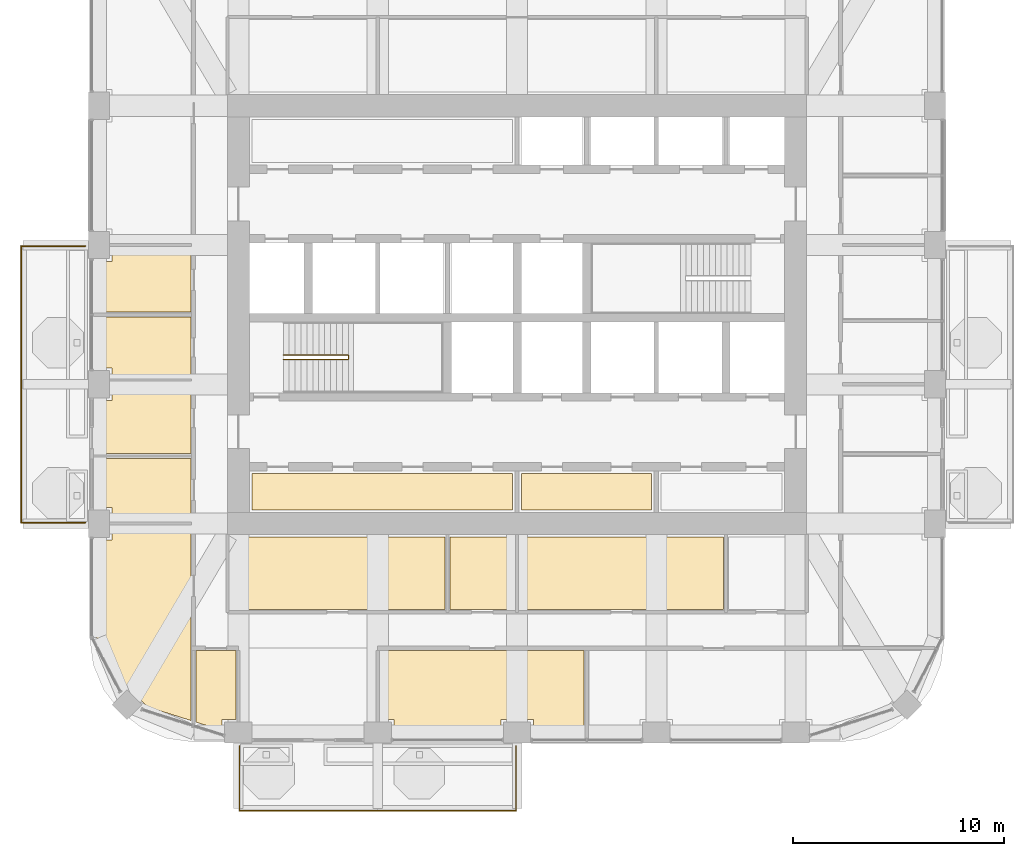
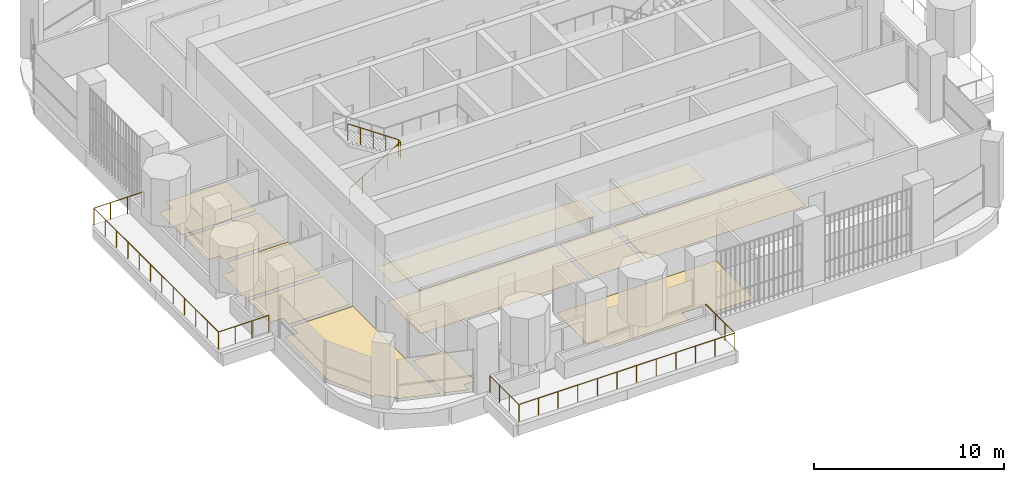
# One storey, part 16 of 20: 12 coverings, 3 railings.
"""IFC4 building model written with IfcOpenShell, lengths in metres."""

from ifc_helpers import new_model, si_unit, direction, frame, origin, place, context, subcontext, project, spatial, polyline, outline, extrude, material, layer, layer_set, type_object, element, save


model = new_model("IFC4")

# Units and contexts
model_context = context("Model", 3, precision=1e-05, world=origin(), true_north=direction((0.0, 1.0)))
body_context = subcontext(model_context, "Body", "Model", "MODEL_VIEW")
ifc_project = project(units=[si_unit("LENGTHUNIT", "METRE"), si_unit("AREAUNIT", "SQUARE_METRE"), si_unit("VOLUMEUNIT", "CUBIC_METRE"), si_unit("PLANEANGLEUNIT", "RADIAN"), si_unit("MASSUNIT", "GRAM", prefix="KILO")], contexts=[model_context])

# Site, building, storey
site_placement = place(None, origin())
site = spatial("IfcSite", under=ifc_project, at=site_placement, CompositionType="ELEMENT")
building_placement = place(site_placement, origin())
building = spatial("IfcBuilding", under=site, at=building_placement, Name="Cobogo Forest Laboratory Tower", CompositionType="ELEMENT")
storey_placement = place(building_placement, frame((0.0, 0.0, 254.39990234375)))
storey = spatial("IfcBuildingStorey", under=building, at=storey_placement, Name="L58", CompositionType="ELEMENT", Elevation=254.39990234375)

# Railings
ifc_material_1 = material(Name="Laminated glass balustrade", Category="glass")
railing_type_1 = type_object("IfcRailingType", Name="BG1 glass balustrade 1100", PredefinedType="GUARDRAIL", material=ifc_material_1)
railing_1_placement = place(storey_placement, frame((13.25, 2.64990234375, 0.0)))
element("IfcRailing", 1, at=railing_1_placement, inside=storey, type_object=railing_type_1, Name="Balcony balustrade BAL-S1 L58", PredefinedType="GUARDRAIL", context=body_context, shape_type="SweptSolid", body=[
    extrude(outline(polyline([(0.022216796875, 0.00927734375), (0.00927734375, 0.022216796875), (-0.00927734375, 0.022216796875), (-0.022216796875, 0.00927734375), (-0.022216796875, -0.00927734375), (-0.00927734375, -0.022216796875), (0.00927734375, -0.022216796875), (0.022216796875, -0.00927734375), (0.022216796875, 0.00927734375)])), frame((0.0, 0.0, 1.077880859375), z_axis=(0.0, -1.0, 0.0), x_axis=(1.0, 0.0, 0.0)), (0.0, 0.0, 1.0), 3.0498046875),
    extrude(outline(polyline([(0.022216796875, 0.00927734375), (0.00927734375, 0.022216796875), (-0.00927734375, 0.022216796875), (-0.022216796875, 0.00927734375), (-0.022216796875, -0.00927734375), (-0.00927734375, -0.022216796875), (0.00927734375, -0.022216796875), (0.022216796875, -0.00927734375), (0.022216796875, 0.00927734375)])), frame((0.0, -3.0498046875, 1.077880859375), z_axis=(1.0, 0.0, 0.0), x_axis=(0.0, 1.0, 0.0)), (0.0, 0.0, 1.0), 13.10009765625),
    extrude(outline(polyline([(0.022216796875, 0.00927734375), (0.00927734375, 0.022216796875), (-0.00927734375, 0.022216796875), (-0.022216796875, 0.00927734375), (-0.022216796875, -0.00927734375), (-0.00927734375, -0.022216796875), (0.00927734375, -0.022216796875), (0.022216796875, -0.00927734375), (0.022216796875, 0.00927734375)])), frame((13.10009765625, -3.0498046875, 1.077880859375), z_axis=(0.0, 1.0, 0.0), x_axis=(-1.0, 0.0, 0.0)), (0.0, 0.0, 1.0), 3.0498046875),
    extrude(outline(polyline([(0.019287109375, 0.008056640625), (0.008056640625, 0.019287109375), (-0.008056640625, 0.019287109375), (-0.019287109375, 0.008056640625), (-0.019287109375, -0.008056640625), (-0.008056640625, -0.019287109375), (0.008056640625, -0.019287109375), (0.019287109375, -0.008056640625), (0.019287109375, 0.008056640625)])), origin(), (0.0, 0.0, 1.0), 1.077880859375),
    extrude(outline(polyline([(0.019287109375, 0.008056640625), (0.008056640625, 0.019287109375), (-0.008056640625, 0.019287109375), (-0.019287109375, 0.008056640625), (-0.019287109375, -0.008056640625), (-0.008056640625, -0.019287109375), (0.008056640625, -0.019287109375), (0.019287109375, -0.008056640625), (0.019287109375, 0.008056640625)])), frame((0.0, -1.0166015625, 0.0)), (0.0, 0.0, 1.0), 1.077880859375),
    extrude(outline(polyline([(0.019287109375, 0.008056640625), (0.008056640625, 0.019287109375), (-0.008056640625, 0.019287109375), (-0.019287109375, 0.008056640625), (-0.019287109375, -0.008056640625), (-0.008056640625, -0.019287109375), (0.008056640625, -0.019287109375), (0.019287109375, -0.008056640625), (0.019287109375, 0.008056640625)])), frame((0.0, -2.033203125, 0.0)), (0.0, 0.0, 1.0), 1.077880859375),
    extrude(outline(polyline([(0.019287109375, 0.008056640625), (0.008056640625, 0.019287109375), (-0.008056640625, 0.019287109375), (-0.019287109375, 0.008056640625), (-0.019287109375, -0.008056640625), (-0.008056640625, -0.019287109375), (0.008056640625, -0.019287109375), (0.019287109375, -0.008056640625), (0.019287109375, 0.008056640625)])), frame((0.0, -3.0498046875, 0.0)), (0.0, 0.0, 1.0), 1.077880859375),
    extrude(outline(polyline([(0.019287109375, 0.008056640625), (0.008056640625, 0.019287109375), (-0.008056640625, 0.019287109375), (-0.019287109375, 0.008056640625), (-0.019287109375, -0.008056640625), (-0.008056640625, -0.019287109375), (0.008056640625, -0.019287109375), (0.019287109375, -0.008056640625), (0.019287109375, 0.008056640625)])), frame((1.19091796875, -3.0498046875, 0.0)), (0.0, 0.0, 1.0), 1.077880859375),
    extrude(outline(polyline([(0.019287109375, 0.008056640625), (0.008056640625, 0.019287109375), (-0.008056640625, 0.019287109375), (-0.019287109375, 0.008056640625), (-0.019287109375, -0.008056640625), (-0.008056640625, -0.019287109375), (0.008056640625, -0.019287109375), (0.019287109375, -0.008056640625), (0.019287109375, 0.008056640625)])), frame((2.3818359375, -3.0498046875, 0.0)), (0.0, 0.0, 1.0), 1.077880859375),
    extrude(outline(polyline([(0.019287109375, 0.008056640625), (0.008056640625, 0.019287109375), (-0.008056640625, 0.019287109375), (-0.019287109375, 0.008056640625), (-0.019287109375, -0.008056640625), (-0.008056640625, -0.019287109375), (0.008056640625, -0.019287109375), (0.019287109375, -0.008056640625), (0.019287109375, 0.008056640625)])), frame((3.57275390625, -3.0498046875, 0.0)), (0.0, 0.0, 1.0), 1.077880859375),
    extrude(outline(polyline([(0.019287109375, 0.008056640625), (0.008056640625, 0.019287109375), (-0.008056640625, 0.019287109375), (-0.019287109375, 0.008056640625), (-0.019287109375, -0.008056640625), (-0.008056640625, -0.019287109375), (0.008056640625, -0.019287109375), (0.019287109375, -0.008056640625), (0.019287109375, 0.008056640625)])), frame((4.763671875, -3.0498046875, 0.0)), (0.0, 0.0, 1.0), 1.077880859375),
    extrude(outline(polyline([(0.019287109375, 0.008056640625), (0.008056640625, 0.019287109375), (-0.008056640625, 0.019287109375), (-0.019287109375, 0.008056640625), (-0.019287109375, -0.008056640625), (-0.008056640625, -0.019287109375), (0.008056640625, -0.019287109375), (0.019287109375, -0.008056640625), (0.019287109375, 0.008056640625)])), frame((5.95458984375, -3.0498046875, 0.0)), (0.0, 0.0, 1.0), 1.077880859375),
    extrude(outline(polyline([(0.019287109375, 0.008056640625), (0.008056640625, 0.019287109375), (-0.008056640625, 0.019287109375), (-0.019287109375, 0.008056640625), (-0.019287109375, -0.008056640625), (-0.008056640625, -0.019287109375), (0.008056640625, -0.019287109375), (0.019287109375, -0.008056640625), (0.019287109375, 0.008056640625)])), frame((7.1455078125, -3.0498046875, 0.0)), (0.0, 0.0, 1.0), 1.077880859375),
    extrude(outline(polyline([(0.019287109375, 0.008056640625), (0.008056640625, 0.019287109375), (-0.008056640625, 0.019287109375), (-0.019287109375, 0.008056640625), (-0.019287109375, -0.008056640625), (-0.008056640625, -0.019287109375), (0.008056640625, -0.019287109375), (0.019287109375, -0.008056640625), (0.019287109375, 0.008056640625)])), frame((8.33642578125, -3.0498046875, 0.0)), (0.0, 0.0, 1.0), 1.077880859375),
    extrude(outline(polyline([(0.019287109375, 0.008056640625), (0.008056640625, 0.019287109375), (-0.008056640625, 0.019287109375), (-0.019287109375, 0.008056640625), (-0.019287109375, -0.008056640625), (-0.008056640625, -0.019287109375), (0.008056640625, -0.019287109375), (0.019287109375, -0.008056640625), (0.019287109375, 0.008056640625)])), frame((9.52734375, -3.0498046875, 0.0)), (0.0, 0.0, 1.0), 1.077880859375),
    extrude(outline(polyline([(0.019287109375, 0.008056640625), (0.008056640625, 0.019287109375), (-0.008056640625, 0.019287109375), (-0.019287109375, 0.008056640625), (-0.019287109375, -0.008056640625), (-0.008056640625, -0.019287109375), (0.008056640625, -0.019287109375), (0.019287109375, -0.008056640625), (0.019287109375, 0.008056640625)])), frame((10.71826171875, -3.0498046875, 0.0)), (0.0, 0.0, 1.0), 1.077880859375),
    extrude(outline(polyline([(0.019287109375, 0.008056640625), (0.008056640625, 0.019287109375), (-0.008056640625, 0.019287109375), (-0.019287109375, 0.008056640625), (-0.019287109375, -0.008056640625), (-0.008056640625, -0.019287109375), (0.008056640625, -0.019287109375), (0.019287109375, -0.008056640625), (0.019287109375, 0.008056640625)])), frame((11.9091796875, -3.0498046875, 0.0)), (0.0, 0.0, 1.0), 1.077880859375),
    extrude(outline(polyline([(0.019287109375, 0.008056640625), (0.008056640625, 0.019287109375), (-0.008056640625, 0.019287109375), (-0.019287109375, 0.008056640625), (-0.019287109375, -0.008056640625), (-0.008056640625, -0.019287109375), (0.008056640625, -0.019287109375), (0.019287109375, -0.008056640625), (0.019287109375, 0.008056640625)])), frame((13.10009765625, -3.0498046875, 0.0)), (0.0, 0.0, 1.0), 1.077880859375),
    extrude(outline(polyline([(0.019287109375, 0.008056640625), (0.008056640625, 0.019287109375), (-0.008056640625, 0.019287109375), (-0.019287109375, 0.008056640625), (-0.019287109375, -0.008056640625), (-0.008056640625, -0.019287109375), (0.008056640625, -0.019287109375), (0.019287109375, -0.008056640625), (0.019287109375, 0.008056640625)])), frame((13.10009765625, -2.033203125, 0.0)), (0.0, 0.0, 1.0), 1.077880859375),
    extrude(outline(polyline([(0.019287109375, 0.008056640625), (0.008056640625, 0.019287109375), (-0.008056640625, 0.019287109375), (-0.019287109375, 0.008056640625), (-0.019287109375, -0.008056640625), (-0.008056640625, -0.019287109375), (0.008056640625, -0.019287109375), (0.019287109375, -0.008056640625), (0.019287109375, 0.008056640625)])), frame((13.10009765625, -1.0166015625, 0.0)), (0.0, 0.0, 1.0), 1.077880859375),
    extrude(outline(polyline([(0.019287109375, 0.008056640625), (0.008056640625, 0.019287109375), (-0.008056640625, 0.019287109375), (-0.019287109375, 0.008056640625), (-0.019287109375, -0.008056640625), (-0.008056640625, -0.019287109375), (0.008056640625, -0.019287109375), (0.019287109375, -0.008056640625), (0.019287109375, 0.008056640625)])), frame((13.10009765625, 0.0, 0.0)), (0.0, 0.0, 1.0), 1.077880859375),
])
railing_2_placement = place(storey_placement, frame((5.949951171875, 13.25, 0.0)))
element("IfcRailing", 2, at=railing_2_placement, inside=storey, type_object=railing_type_1, Name="Balcony balustrade BAL-W1 L58", PredefinedType="GUARDRAIL", context=body_context, shape_type="SweptSolid", body=[
    extrude(outline(polyline([(0.022216796875, 0.00927734375), (0.00927734375, 0.022216796875), (-0.00927734375, 0.022216796875), (-0.022216796875, 0.00927734375), (-0.022216796875, -0.00927734375), (-0.00927734375, -0.022216796875), (0.00927734375, -0.022216796875), (0.022216796875, -0.00927734375), (0.022216796875, 0.00927734375)])), frame((0.0, 0.0, 1.077880859375), z_axis=(-1.0, 0.0, 0.0), x_axis=(0.0, -1.0, 0.0)), (0.0, 0.0, 1.0), 3.050048828125),
    extrude(outline(polyline([(0.022216796875, 0.00927734375), (0.00927734375, 0.022216796875), (-0.00927734375, 0.022216796875), (-0.022216796875, 0.00927734375), (-0.022216796875, -0.00927734375), (-0.00927734375, -0.022216796875), (0.00927734375, -0.022216796875), (0.022216796875, -0.00927734375), (0.022216796875, 0.00927734375)])), frame((-3.050048828125, 0.0, 1.077880859375), z_axis=(0.0, 1.0, 0.0), x_axis=(-1.0, 0.0, 0.0)), (0.0, 0.0, 1.0), 13.10009765625),
    extrude(outline(polyline([(0.022216796875, 0.00927734375), (0.00927734375, 0.022216796875), (-0.00927734375, 0.022216796875), (-0.022216796875, 0.00927734375), (-0.022216796875, -0.00927734375), (-0.00927734375, -0.022216796875), (0.00927734375, -0.022216796875), (0.022216796875, -0.00927734375), (0.022216796875, 0.00927734375)])), frame((-3.050048828125, 13.10009765625, 1.077880859375), z_axis=(1.0, 0.0, 0.0), x_axis=(0.0, 1.0, 0.0)), (0.0, 0.0, 1.0), 3.050048828125),
    extrude(outline(polyline([(0.019287109375, 0.008056640625), (0.008056640625, 0.019287109375), (-0.008056640625, 0.019287109375), (-0.019287109375, 0.008056640625), (-0.019287109375, -0.008056640625), (-0.008056640625, -0.019287109375), (0.008056640625, -0.019287109375), (0.019287109375, -0.008056640625), (0.019287109375, 0.008056640625)])), origin(), (0.0, 0.0, 1.0), 1.077880859375),
    extrude(outline(polyline([(0.019287109375, 0.008056640625), (0.008056640625, 0.019287109375), (-0.008056640625, 0.019287109375), (-0.019287109375, 0.008056640625), (-0.019287109375, -0.008056640625), (-0.008056640625, -0.019287109375), (0.008056640625, -0.019287109375), (0.019287109375, -0.008056640625), (0.019287109375, 0.008056640625)])), frame((-1.0166015625, 0.0, 0.0)), (0.0, 0.0, 1.0), 1.077880859375),
    extrude(outline(polyline([(0.019287109375, 0.008056640625), (0.008056640625, 0.019287109375), (-0.008056640625, 0.019287109375), (-0.019287109375, 0.008056640625), (-0.019287109375, -0.008056640625), (-0.008056640625, -0.019287109375), (0.008056640625, -0.019287109375), (0.019287109375, -0.008056640625), (0.019287109375, 0.008056640625)])), frame((-2.033447265625, 0.0, 0.0)), (0.0, 0.0, 1.0), 1.077880859375),
    extrude(outline(polyline([(0.019287109375, 0.008056640625), (0.008056640625, 0.019287109375), (-0.008056640625, 0.019287109375), (-0.019287109375, 0.008056640625), (-0.019287109375, -0.008056640625), (-0.008056640625, -0.019287109375), (0.008056640625, -0.019287109375), (0.019287109375, -0.008056640625), (0.019287109375, 0.008056640625)])), frame((-3.050048828125, 0.0, 0.0)), (0.0, 0.0, 1.0), 1.077880859375),
    extrude(outline(polyline([(0.019287109375, 0.008056640625), (0.008056640625, 0.019287109375), (-0.008056640625, 0.019287109375), (-0.019287109375, 0.008056640625), (-0.019287109375, -0.008056640625), (-0.008056640625, -0.019287109375), (0.008056640625, -0.019287109375), (0.019287109375, -0.008056640625), (0.019287109375, 0.008056640625)])), frame((-3.050048828125, 1.19091796875, 0.0)), (0.0, 0.0, 1.0), 1.077880859375),
    extrude(outline(polyline([(0.019287109375, 0.008056640625), (0.008056640625, 0.019287109375), (-0.008056640625, 0.019287109375), (-0.019287109375, 0.008056640625), (-0.019287109375, -0.008056640625), (-0.008056640625, -0.019287109375), (0.008056640625, -0.019287109375), (0.019287109375, -0.008056640625), (0.019287109375, 0.008056640625)])), frame((-3.050048828125, 2.3818359375, 0.0)), (0.0, 0.0, 1.0), 1.077880859375),
    extrude(outline(polyline([(0.019287109375, 0.008056640625), (0.008056640625, 0.019287109375), (-0.008056640625, 0.019287109375), (-0.019287109375, 0.008056640625), (-0.019287109375, -0.008056640625), (-0.008056640625, -0.019287109375), (0.008056640625, -0.019287109375), (0.019287109375, -0.008056640625), (0.019287109375, 0.008056640625)])), frame((-3.050048828125, 3.57275390625, 0.0)), (0.0, 0.0, 1.0), 1.077880859375),
    extrude(outline(polyline([(0.019287109375, 0.008056640625), (0.008056640625, 0.019287109375), (-0.008056640625, 0.019287109375), (-0.019287109375, 0.008056640625), (-0.019287109375, -0.008056640625), (-0.008056640625, -0.019287109375), (0.008056640625, -0.019287109375), (0.019287109375, -0.008056640625), (0.019287109375, 0.008056640625)])), frame((-3.050048828125, 4.763671875, 0.0)), (0.0, 0.0, 1.0), 1.077880859375),
    extrude(outline(polyline([(0.019287109375, 0.008056640625), (0.008056640625, 0.019287109375), (-0.008056640625, 0.019287109375), (-0.019287109375, 0.008056640625), (-0.019287109375, -0.008056640625), (-0.008056640625, -0.019287109375), (0.008056640625, -0.019287109375), (0.019287109375, -0.008056640625), (0.019287109375, 0.008056640625)])), frame((-3.050048828125, 5.95458984375, 0.0)), (0.0, 0.0, 1.0), 1.077880859375),
    extrude(outline(polyline([(0.019287109375, 0.008056640625), (0.008056640625, 0.019287109375), (-0.008056640625, 0.019287109375), (-0.019287109375, 0.008056640625), (-0.019287109375, -0.008056640625), (-0.008056640625, -0.019287109375), (0.008056640625, -0.019287109375), (0.019287109375, -0.008056640625), (0.019287109375, 0.008056640625)])), frame((-3.050048828125, 7.1455078125, 0.0)), (0.0, 0.0, 1.0), 1.077880859375),
    extrude(outline(polyline([(0.019287109375, 0.008056640625), (0.008056640625, 0.019287109375), (-0.008056640625, 0.019287109375), (-0.019287109375, 0.008056640625), (-0.019287109375, -0.008056640625), (-0.008056640625, -0.019287109375), (0.008056640625, -0.019287109375), (0.019287109375, -0.008056640625), (0.019287109375, 0.008056640625)])), frame((-3.050048828125, 8.33642578125, 0.0)), (0.0, 0.0, 1.0), 1.077880859375),
    extrude(outline(polyline([(0.019287109375, 0.008056640625), (0.008056640625, 0.019287109375), (-0.008056640625, 0.019287109375), (-0.019287109375, 0.008056640625), (-0.019287109375, -0.008056640625), (-0.008056640625, -0.019287109375), (0.008056640625, -0.019287109375), (0.019287109375, -0.008056640625), (0.019287109375, 0.008056640625)])), frame((-3.050048828125, 9.52734375, 0.0)), (0.0, 0.0, 1.0), 1.077880859375),
    extrude(outline(polyline([(0.019287109375, 0.008056640625), (0.008056640625, 0.019287109375), (-0.008056640625, 0.019287109375), (-0.019287109375, 0.008056640625), (-0.019287109375, -0.008056640625), (-0.008056640625, -0.019287109375), (0.008056640625, -0.019287109375), (0.019287109375, -0.008056640625), (0.019287109375, 0.008056640625)])), frame((-3.050048828125, 10.71826171875, 0.0)), (0.0, 0.0, 1.0), 1.077880859375),
    extrude(outline(polyline([(0.019287109375, 0.008056640625), (0.008056640625, 0.019287109375), (-0.008056640625, 0.019287109375), (-0.019287109375, 0.008056640625), (-0.019287109375, -0.008056640625), (-0.008056640625, -0.019287109375), (0.008056640625, -0.019287109375), (0.019287109375, -0.008056640625), (0.019287109375, 0.008056640625)])), frame((-3.050048828125, 11.9091796875, 0.0)), (0.0, 0.0, 1.0), 1.077880859375),
    extrude(outline(polyline([(0.019287109375, 0.008056640625), (0.008056640625, 0.019287109375), (-0.008056640625, 0.019287109375), (-0.019287109375, 0.008056640625), (-0.019287109375, -0.008056640625), (-0.008056640625, -0.019287109375), (0.008056640625, -0.019287109375), (0.019287109375, -0.008056640625), (0.019287109375, 0.008056640625)])), frame((-3.050048828125, 13.10009765625, 0.0)), (0.0, 0.0, 1.0), 1.077880859375),
    extrude(outline(polyline([(0.019287109375, 0.008056640625), (0.008056640625, 0.019287109375), (-0.008056640625, 0.019287109375), (-0.019287109375, 0.008056640625), (-0.019287109375, -0.008056640625), (-0.008056640625, -0.019287109375), (0.008056640625, -0.019287109375), (0.019287109375, -0.008056640625), (0.019287109375, 0.008056640625)])), frame((-2.033447265625, 13.10009765625, 0.0)), (0.0, 0.0, 1.0), 1.077880859375),
    extrude(outline(polyline([(0.019287109375, 0.008056640625), (0.008056640625, 0.019287109375), (-0.008056640625, 0.019287109375), (-0.019287109375, 0.008056640625), (-0.019287109375, -0.008056640625), (-0.008056640625, -0.019287109375), (0.008056640625, -0.019287109375), (0.019287109375, -0.008056640625), (0.019287109375, 0.008056640625)])), frame((-1.0166015625, 13.10009765625, 0.0)), (0.0, 0.0, 1.0), 1.077880859375),
    extrude(outline(polyline([(0.019287109375, 0.008056640625), (0.008056640625, 0.019287109375), (-0.008056640625, 0.019287109375), (-0.019287109375, 0.008056640625), (-0.019287109375, -0.008056640625), (-0.008056640625, -0.019287109375), (0.008056640625, -0.019287109375), (0.019287109375, -0.008056640625), (0.019287109375, 0.008056640625)])), frame((0.0, 13.10009765625, 0.0)), (0.0, 0.0, 1.0), 1.077880859375),
])

# Coverings
ifc_material_2 = material(Name="Carpet tile on raised access floor", Category="flooring")
ifc_layer_1 = layer(ifc_material_2, 0.008056640625)
ifc_layer_set_1 = layer_set([ifc_layer_1], Name="CT1 carpet tile floor 8")
covering_type_1 = type_object("IfcCoveringType", Name="CT1 carpet tile floor 8", PredefinedType="FLOORING", material=ifc_layer_set_1)
covering_1_placement = place(storey_placement, origin())
element("IfcCovering", 3, at=covering_1_placement, inside=storey, type_object=covering_type_1, Name="Carpet floor L58-04", PredefinedType="FLOORING", context=body_context, shape_type="SweptSolid", body=[
    extrude(outline(polyline([(22.97998046875, 9.1201171875), (12.794921875, 9.1201171875), (12.794921875, 12.554931640625), (22.97998046875, 12.554931640625), (22.97998046875, 9.1201171875)])), origin(), (0.0, 0.0, 1.0), 0.008056640625),
])
covering_2_placement = place(storey_placement, origin())
element("IfcCovering", 4, at=covering_2_placement, inside=storey, type_object=covering_type_1, Name="Carpet floor L58-05", PredefinedType="FLOORING", context=body_context, shape_type="SweptSolid", body=[
    extrude(outline(polyline([(26.280029296875, 9.1201171875), (23.219970703125, 9.1201171875), (23.219970703125, 12.554931640625), (26.280029296875, 12.554931640625), (26.280029296875, 9.1201171875)])), origin(), (0.0, 0.0, 1.0), 0.008056640625),
])
covering_3_placement = place(storey_placement, origin())
element("IfcCovering", 5, at=covering_3_placement, inside=storey, type_object=covering_type_1, Name="Carpet floor L58-06", PredefinedType="FLOORING", context=body_context, shape_type="SweptSolid", body=[
    extrude(outline(polyline([(36.179931640625, 9.1201171875), (26.52001953125, 9.1201171875), (26.52001953125, 12.554931640625), (36.179931640625, 12.554931640625), (36.179931640625, 9.1201171875)])), origin(), (0.0, 0.0, 1.0), 0.008056640625),
])
covering_4_placement = place(storey_placement, origin())
element("IfcCovering", 6, at=covering_4_placement, inside=storey, type_object=covering_type_1, Name="Carpet floor L58-08", PredefinedType="FLOORING", context=body_context, shape_type="SweptSolid", body=[
    extrude(outline(polyline([(13.080078125, 7.179931640625), (13.080078125, 3.919921875), (12.429931640625, 3.919921875), (12.429931640625, 3.40283203125), (11.195068359375, 3.79296875), (11.195068359375, 7.179931640625), (13.080078125, 7.179931640625)])), origin(), (0.0, 0.0, 1.0), 0.008056640625),
])
covering_5_placement = place(storey_placement, origin())
element("IfcCovering", 7, at=covering_5_placement, inside=storey, type_object=covering_type_1, Name="Carpet floor L58-23", PredefinedType="FLOORING", context=body_context, shape_type="SweptSolid", body=[
    extrude(outline(polyline([(8.743896484375, 4.56689453125), (8.794921875, 4.617919921875), (7.91796875, 5.494873046875), (7.7646484375, 5.34130859375), (6.449951171875, 7.84912109375), (6.449951171875, 12.429931640625), (7.219970703125, 12.429931640625), (7.219970703125, 13.080078125), (10.955078125, 13.080078125), (10.955078125, 3.86865234375), (8.743896484375, 4.56689453125)])), origin(), (0.0, 0.0, 1.0), 0.008056640625),
])
covering_6_placement = place(storey_placement, origin())
element("IfcCovering", 8, at=covering_6_placement, inside=storey, type_object=covering_type_1, Name="Carpet floor L58-27", PredefinedType="FLOORING", context=body_context, shape_type="SweptSolid", body=[
    extrude(outline(polyline([(10.955078125, 23.219970703125), (6.449951171875, 23.219970703125), (6.449951171875, 25.6298828125), (7.219970703125, 25.6298828125), (7.219970703125, 26.280029296875), (10.955078125, 26.280029296875), (10.955078125, 23.219970703125)])), origin(), (0.0, 0.0, 1.0), 0.008056640625),
])
covering_7_placement = place(storey_placement, origin())
element("IfcCovering", 9, at=covering_7_placement, inside=storey, type_object=covering_type_1, Name="Carpet floor L58-36", PredefinedType="FLOORING", context=body_context, shape_type="SweptSolid", body=[
    extrude(outline(polyline([(26.179931640625, 13.844970703125), (13.844970703125, 13.844970703125), (13.844970703125, 15.580078125), (26.179931640625, 15.580078125), (26.179931640625, 13.844970703125)])), origin(), (0.0, 0.0, 1.0), 0.008056640625),
])
covering_8_placement = place(storey_placement, origin())
element("IfcCovering", 10, at=covering_8_placement, inside=storey, type_object=covering_type_1, Name="Carpet floor L58-37", PredefinedType="FLOORING", context=body_context, shape_type="SweptSolid", body=[
    extrude(outline(polyline([(32.780029296875, 13.844970703125), (26.6201171875, 13.844970703125), (26.6201171875, 15.580078125), (32.780029296875, 15.580078125), (32.780029296875, 13.844970703125)])), origin(), (0.0, 0.0, 1.0), 0.008056640625),
])

# Railing
ifc_material_3 = material(Name="Steel balustrade", Category="steel")
railing_type_2 = type_object("IfcRailingType", Name="GR stair guard 1100", PredefinedType="GUARDRAIL", material=ifc_material_3)
railing_3_placement = place(storey_placement, frame((15.324951171875, 20.969970703125, 0.175048828125)))
element("IfcRailing", 11, at=railing_3_placement, inside=storey, type_object=railing_type_2, Name="Stair guard ST1 L58", PredefinedType="GUARDRAIL", context=body_context, shape_type="SweptSolid", body=[
    extrude(outline(polyline([(0.022216796875, 0.00927734375), (0.00927734375, 0.022216796875), (-0.00927734375, 0.022216796875), (-0.022216796875, 0.00927734375), (-0.022216796875, -0.00927734375), (-0.00927734375, -0.022216796875), (0.00927734375, -0.022216796875), (0.022216796875, -0.00927734375), (0.022216796875, 0.00927734375)])), frame((0.0, 0.0, 1.077880859375), z_axis=(0.847998304005, 0.0, 0.529998940003), x_axis=(0.0, 1.0, 0.0)), (0.0, 0.0, 1.0), 3.632080078125),
    extrude(outline(polyline([(0.022216796875, 0.00927734375), (0.00927734375, 0.022216796875), (-0.00927734375, 0.022216796875), (-0.022216796875, 0.00927734375), (-0.022216796875, -0.00927734375), (-0.00927734375, -0.022216796875), (0.00927734375, -0.022216796875), (0.022216796875, -0.00927734375), (0.022216796875, 0.00927734375)])), frame((3.080078125, 0.0, 3.0029296875), z_axis=(0.0, 1.0, 0.0), x_axis=(-1.0, 0.0, 0.0)), (0.0, 0.0, 1.0), 0.2099609375),
    extrude(outline(polyline([(0.022216796875, 0.00927734375), (0.00927734375, 0.022216796875), (-0.00927734375, 0.022216796875), (-0.022216796875, 0.00927734375), (-0.022216796875, -0.00927734375), (-0.00927734375, -0.022216796875), (0.00927734375, -0.022216796875), (0.022216796875, -0.00927734375), (0.022216796875, 0.00927734375)])), frame((3.080078125, 0.2099609375, 3.0029296875), z_axis=(-0.826221800596, 0.0, 0.563344953133), x_axis=(0.0, -1.0, 0.0)), (0.0, 0.0, 1.0), 3.72802734375),
    extrude(outline(polyline([(0.019287109375, 0.008056640625), (0.008056640625, 0.019287109375), (-0.008056640625, 0.019287109375), (-0.019287109375, 0.008056640625), (-0.019287109375, -0.008056640625), (-0.008056640625, -0.019287109375), (0.008056640625, -0.019287109375), (0.019287109375, -0.008056640625), (0.019287109375, 0.008056640625)])), origin(), (0.0, 0.0, 1.0), 1.077880859375),
    extrude(outline(polyline([(0.019287109375, 0.008056640625), (0.008056640625, 0.019287109375), (-0.008056640625, 0.019287109375), (-0.019287109375, 0.008056640625), (-0.019287109375, -0.008056640625), (-0.008056640625, -0.019287109375), (0.008056640625, -0.019287109375), (0.019287109375, -0.008056640625), (0.019287109375, 0.008056640625)])), frame((0.77001953125, 0.0, 0.481201171875)), (0.0, 0.0, 1.0), 1.077880859375),
    extrude(outline(polyline([(0.019287109375, 0.008056640625), (0.008056640625, 0.019287109375), (-0.008056640625, 0.019287109375), (-0.019287109375, 0.008056640625), (-0.019287109375, -0.008056640625), (-0.008056640625, -0.019287109375), (0.008056640625, -0.019287109375), (0.019287109375, -0.008056640625), (0.019287109375, 0.008056640625)])), frame((1.5400390625, 0.0, 0.96240234375)), (0.0, 0.0, 1.0), 1.077880859375),
    extrude(outline(polyline([(0.019287109375, 0.008056640625), (0.008056640625, 0.019287109375), (-0.008056640625, 0.019287109375), (-0.019287109375, 0.008056640625), (-0.019287109375, -0.008056640625), (-0.008056640625, -0.019287109375), (0.008056640625, -0.019287109375), (0.019287109375, -0.008056640625), (0.019287109375, 0.008056640625)])), frame((2.31005859375, 0.0, 1.44384765625)), (0.0, 0.0, 1.0), 1.077880859375),
    extrude(outline(polyline([(0.019287109375, 0.008056640625), (0.008056640625, 0.019287109375), (-0.008056640625, 0.019287109375), (-0.019287109375, 0.008056640625), (-0.019287109375, -0.008056640625), (-0.008056640625, -0.019287109375), (0.008056640625, -0.019287109375), (0.019287109375, -0.008056640625), (0.019287109375, 0.008056640625)])), frame((3.080078125, 0.0, 1.925048828125)), (0.0, 0.0, 1.0), 1.077880859375),
    extrude(outline(polyline([(0.019287109375, 0.008056640625), (0.008056640625, 0.019287109375), (-0.008056640625, 0.019287109375), (-0.019287109375, 0.008056640625), (-0.019287109375, -0.008056640625), (-0.008056640625, -0.019287109375), (0.008056640625, -0.019287109375), (0.019287109375, -0.008056640625), (0.019287109375, 0.008056640625)])), frame((3.080078125, 0.2099609375, 1.925048828125)), (0.0, 0.0, 1.0), 1.077880859375),
    extrude(outline(polyline([(0.019287109375, 0.008056640625), (0.008056640625, 0.019287109375), (-0.008056640625, 0.019287109375), (-0.019287109375, 0.008056640625), (-0.019287109375, -0.008056640625), (-0.008056640625, -0.019287109375), (0.008056640625, -0.019287109375), (0.019287109375, -0.008056640625), (0.019287109375, 0.008056640625)])), frame((2.31005859375, 0.2099609375, 2.4501953125)), (0.0, 0.0, 1.0), 1.077880859375),
    extrude(outline(polyline([(0.019287109375, 0.008056640625), (0.008056640625, 0.019287109375), (-0.008056640625, 0.019287109375), (-0.019287109375, 0.008056640625), (-0.019287109375, -0.008056640625), (-0.008056640625, -0.019287109375), (0.008056640625, -0.019287109375), (0.019287109375, -0.008056640625), (0.019287109375, 0.008056640625)])), frame((1.5400390625, 0.2099609375, 2.97509765625)), (0.0, 0.0, 1.0), 1.077880859375),
    extrude(outline(polyline([(0.019287109375, 0.008056640625), (0.008056640625, 0.019287109375), (-0.008056640625, 0.019287109375), (-0.019287109375, 0.008056640625), (-0.019287109375, -0.008056640625), (-0.008056640625, -0.019287109375), (0.008056640625, -0.019287109375), (0.019287109375, -0.008056640625), (0.019287109375, 0.008056640625)])), frame((0.77001953125, 0.2099609375, 3.5)), (0.0, 0.0, 1.0), 1.077880859375),
    extrude(outline(polyline([(0.019287109375, 0.008056640625), (0.008056640625, 0.019287109375), (-0.008056640625, 0.019287109375), (-0.019287109375, 0.008056640625), (-0.019287109375, -0.008056640625), (-0.008056640625, -0.019287109375), (0.008056640625, -0.019287109375), (0.019287109375, -0.008056640625), (0.019287109375, 0.008056640625)])), frame((0.0, 0.2099609375, 4.025146484375)), (0.0, 0.0, 1.0), 1.077880859375),
])

# Coverings
ifc_material_4 = material(Name="Epoxy resin flooring", Category="flooring")
ifc_layer_2 = layer(ifc_material_4, 0.00390625)
ifc_layer_set_2 = layer_set([ifc_layer_2], Name="LF1 epoxy laboratory floor 4")
covering_type_2 = type_object("IfcCoveringType", Name="LF1 epoxy laboratory floor 4", PredefinedType="FLOORING", material=ifc_layer_set_2)
covering_9_placement = place(storey_placement, origin())
element("IfcCovering", 12, at=covering_9_placement, inside=storey, type_object=covering_type_2, Name="Epoxy laboratory floor L58-09", PredefinedType="FLOORING", context=body_context, shape_type="SweptSolid", body=[
    extrude(outline(polyline([(29.580078125, 7.179931640625), (29.580078125, 3.14990234375), (27.169921875, 3.14990234375), (27.169921875, 3.919921875), (25.6298828125, 3.919921875), (25.6298828125, 3.14990234375), (20.570068359375, 3.14990234375), (20.570068359375, 3.919921875), (19.919921875, 3.919921875), (19.919921875, 7.179931640625), (29.580078125, 7.179931640625)])), origin(), (0.0, 0.0, 1.0), 0.004150390625),
])
ifc_material_5 = material(Name="Ceramic floor tile", Category="flooring")
ifc_layer_3 = layer(ifc_material_5, 0.010009765625)
ifc_layer_set_3 = layer_set([ifc_layer_3], Name="TF1 ceramic tile floor 10")
covering_type_3 = type_object("IfcCoveringType", Name="TF1 ceramic tile floor 10", PredefinedType="FLOORING", material=ifc_layer_set_3)
covering_10_placement = place(storey_placement, origin())
element("IfcCovering", 13, at=covering_10_placement, inside=storey, type_object=covering_type_3, Name="Tile floor L58-24", PredefinedType="FLOORING", context=body_context, shape_type="SweptSolid", body=[
    extrude(outline(polyline([(10.955078125, 13.320068359375), (7.219970703125, 13.320068359375), (7.219970703125, 13.969970703125), (6.449951171875, 13.969970703125), (6.449951171875, 16.280029296875), (10.955078125, 16.280029296875), (10.955078125, 13.320068359375)])), origin(), (0.0, 0.0, 1.0), 0.010009765625),
])
covering_11_placement = place(storey_placement, origin())
element("IfcCovering", 14, at=covering_11_placement, inside=storey, type_object=covering_type_3, Name="Tile floor L58-25", PredefinedType="FLOORING", context=body_context, shape_type="SweptSolid", body=[
    extrude(outline(polyline([(10.955078125, 16.52001953125), (6.449951171875, 16.52001953125), (6.449951171875, 19.030029296875), (7.219970703125, 19.030029296875), (7.219970703125, 19.8798828125), (10.955078125, 19.8798828125), (10.955078125, 16.52001953125)])), origin(), (0.0, 0.0, 1.0), 0.010009765625),
])
covering_12_placement = place(storey_placement, origin())
element("IfcCovering", 15, at=covering_12_placement, inside=storey, type_object=covering_type_3, Name="Tile floor L58-26", PredefinedType="FLOORING", context=body_context, shape_type="SweptSolid", body=[
    extrude(outline(polyline([(10.955078125, 20.1201171875), (7.219970703125, 20.1201171875), (7.219970703125, 20.570068359375), (6.449951171875, 20.570068359375), (6.449951171875, 22.97998046875), (10.955078125, 22.97998046875), (10.955078125, 20.1201171875)])), origin(), (0.0, 0.0, 1.0), 0.010009765625),
])

save(model, "model.ifc")
